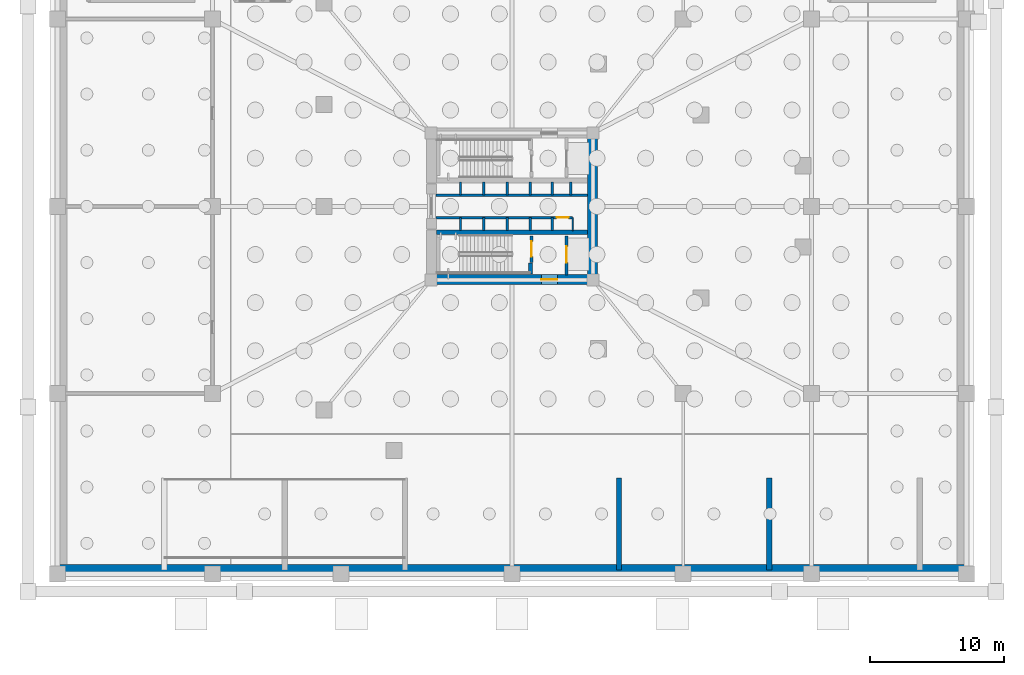
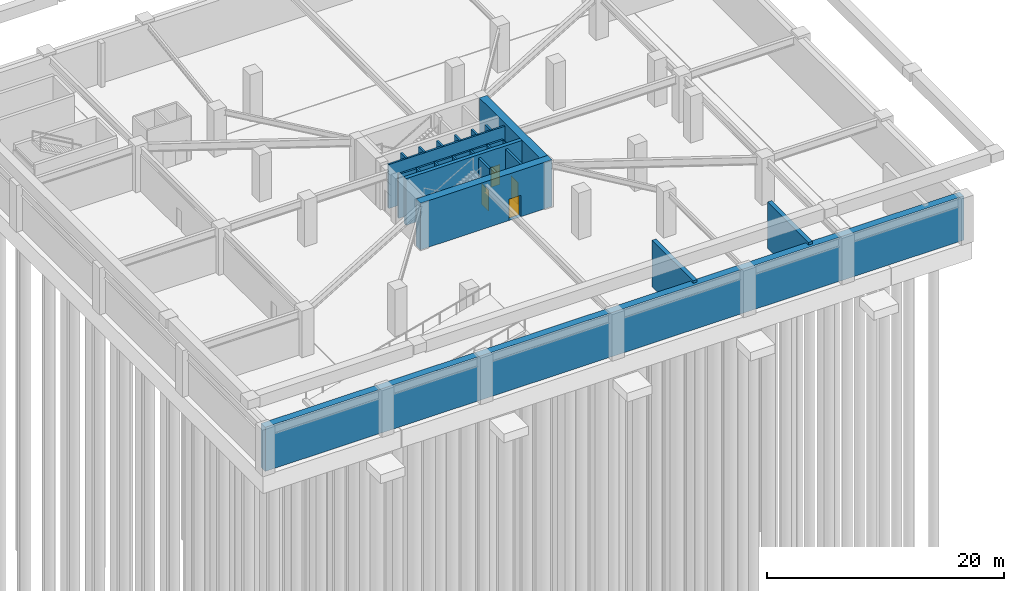
# One storey, part 6 of 14: 23 walls, 4 doors, 4 openings.
"""IFC4 building model written with IfcOpenShell, lengths in metres."""

import ifcopenshell
import ifcopenshell.guid

model = None  # the IFC model being written
_history = None  # IfcOwnerHistory: only IFC2X3 demands one
_inside = {}  # id of a spatial element -> (the spatial element, [elements in it])
_under = {}  # id of a project, library or spatial element -> (it, [spatial elements below it])
_declared = {}  # id of a project -> (the project, [libraries it declares])
_typed = {}  # id of a type object -> (the type object, [elements of that type])
_made_of = {}  # id of a material, layer set ... -> (it, [elements and type objects made of it])


def new_model(schema):
    """Start an empty IFC model of exactly this schema.

    Asked for "IFC4X3", IfcOpenShell would pick the latest addendum, in which some entities
    have other attributes; the version numbers below select the first issue.
    IFC2X3 requires an IfcOwnerHistory on every rooted entity: one is made here for all.
    """
    global model, _history
    if schema == "IFC4X3":
        model = ifcopenshell.file(schema_version=(4, 3, 0, 0))
    else:
        model = ifcopenshell.file(schema=schema)
    _inside.clear()
    _under.clear()
    _declared.clear()
    _typed.clear()
    _made_of.clear()
    _history = None
    if model.schema == "IFC2X3":
        org = make("IfcOrganization", Name="unknown")
        user = make(
            "IfcPersonAndOrganization",
            ThePerson=make("IfcPerson", FamilyName="unknown"),
            TheOrganization=org,
        )
        app = make(
            "IfcApplication",
            ApplicationDeveloper=org,
            Version="unknown",
            ApplicationFullName="unknown",
            ApplicationIdentifier="unknown",
        )
        _history = make(
            "IfcOwnerHistory",
            OwningUser=user,
            OwningApplication=app,
            ChangeAction="ADDED",
            CreationDate=0,
        )
    return model


def make(cls, **values):
    """One entity of the class cls with the attributes given. An attribute that is None is left unset."""
    return model.create_entity(
        cls, **{name: value for name, value in values.items() if value is not None}
    )


def rooted(cls, **values):
    """An entity with a GlobalId (a new one), such as an element, a storey or a relation."""
    return make(cls, GlobalId=ifcopenshell.guid.new(), OwnerHistory=_history, **values)


def si_unit(unit_type, name, prefix=None):
    """IfcSIUnit, for example si_unit("LENGTHUNIT", "METRE", prefix="MILLI")."""
    return make("IfcSIUnit", UnitType=unit_type, Prefix=prefix, Name=name)


def assignment(units):
    """IfcUnitAssignment: the units of a project."""
    return None if units is None else make("IfcUnitAssignment", Units=units)


def point(xyz):
    """IfcCartesianPoint."""
    return None if xyz is None else make("IfcCartesianPoint", Coordinates=xyz)


def direction(xyz):
    """IfcDirection."""
    return None if xyz is None else make("IfcDirection", DirectionRatios=xyz)


def frame(location, z_axis=None, x_axis=None):
    """IfcAxis2Placement3D, a coordinate frame: its origin and axes. An axis left out is left unset."""
    return make(
        "IfcAxis2Placement3D",
        Location=point(location),
        Axis=direction(z_axis),
        RefDirection=direction(x_axis),
    )


def frame_2d(location, x_axis=None):
    """IfcAxis2Placement2D, a coordinate frame in the plane: its origin and x axis."""
    return make(
        "IfcAxis2Placement2D", Location=point(location), RefDirection=direction(x_axis)
    )


def origin():
    """The frame at (0, 0, 0) with its axes left unset."""
    return frame((0.0, 0.0, 0.0))


def place(relative_to, where):
    """IfcLocalPlacement: puts the frame where relative to a parent placement (None: the world)."""
    return make(
        "IfcLocalPlacement", PlacementRelTo=relative_to, RelativePlacement=where
    )


def context(
    kind, dimensions, precision=None, world=None, true_north=None, identifier=None
):
    """IfcGeometricRepresentationContext, for example the 3D "Model" context."""
    return make(
        "IfcGeometricRepresentationContext",
        ContextIdentifier=identifier,
        ContextType=kind,
        CoordinateSpaceDimension=dimensions,
        Precision=precision,
        WorldCoordinateSystem=world,
        TrueNorth=true_north,
    )


def subcontext(parent, identifier, kind, view, scale=None):
    """IfcGeometricRepresentationSubContext, for example "Body" below "Model"."""
    return make(
        "IfcGeometricRepresentationSubContext",
        ContextIdentifier=identifier,
        ContextType=kind,
        ParentContext=parent,
        TargetScale=scale,
        TargetView=view,
    )


def project(units=None, contexts=None):
    """IfcProject with its units and contexts."""
    return rooted(
        "IfcProject",
        Name="project",
        RepresentationContexts=contexts,
        UnitsInContext=assignment(units),
    )


def spatial(cls, under=None, at=None, **own):
    """A site, building, storey or space (cls), placed at a placement, below another one or the project."""
    s = rooted(cls, ObjectPlacement=at, **own)
    if under is not None:
        _under.setdefault(under.id(), (under, []))[1].append(s)
    return s


def profile(cls, at=None, kind="AREA", **sizes):
    """A parametric profile (cls). Its sizes go by their IFC names, for example OverallWidth=200.0."""
    return make(cls, ProfileType=kind, Position=at, **sizes)


def rectangle(**sizes):
    """IfcRectangleProfileDef."""
    return profile("IfcRectangleProfileDef", **sizes)


def extrude(swept, where, along, depth):
    """IfcExtrudedAreaSolid: the profile swept, set in the frame where, extruded along a direction by depth."""
    return make(
        "IfcExtrudedAreaSolid",
        SweptArea=swept,
        Position=where,
        ExtrudedDirection=direction(along),
        Depth=depth,
    )


def shape(context_of_items, identifier, shape_type, items):
    """IfcShapeRepresentation: the items that make up one representation, for example the "Body"."""
    return make(
        "IfcShapeRepresentation",
        ContextOfItems=context_of_items,
        RepresentationIdentifier=identifier,
        RepresentationType=shape_type,
        Items=items,
    )


def material(Name=None, Category=None):
    """IfcMaterial."""
    return make("IfcMaterial", Name=Name, Category=Category)


def layer(
    of_material, thickness, ventilated=None, Name=None, Category=None, Priority=None
):
    """IfcMaterialLayer: one layer of a wall or slab, of a material (None: an air gap)."""
    return make(
        "IfcMaterialLayer",
        Material=of_material,
        LayerThickness=thickness,
        IsVentilated=ventilated,
        Name=Name,
        Category=Category,
        Priority=Priority,
    )


def layer_set(layers, Name=None):
    """IfcMaterialLayerSet."""
    return make("IfcMaterialLayerSet", MaterialLayers=layers, LayerSetName=Name)


def made_of(thing, what):
    """Note that an element or type object is made of a material, layer set ...; save() writes the relation."""
    if what is not None:
        _made_of.setdefault(what.id(), (what, []))[1].append(thing)
    return thing


def type_object(cls, material=None, **own):
    """A type object (cls), such as IfcWallType, which elements share."""
    return made_of(rooted(cls, **own), material)


def element(
    cls,
    number,
    at=None,
    inside=None,
    cuts=None,
    type_object=None,
    material=None,
    context=None,
    identifier="Body",
    shape_type=None,
    held_by="IfcProductDefinitionShape",
    body=None,
    shapes=None,
    **own,
):
    """One element of the class cls, such as IfcWall. Its Tag is "e" and its number.

    at: its placement. inside: the storey or other place that contains it. cuts: it is an
    opening in that element (IfcRelVoidsElement). A single representation is given by context,
    identifier, shape_type and body (its items); several are given by shapes. held_by: the class
    of the entity that holds the representations. save() writes the other relations.
    """
    e = rooted(cls, Tag="e%d" % number, ObjectPlacement=at, **own)
    if body is not None:
        shapes = [shape(context, identifier, shape_type, body)]
    if shapes is not None:
        e.Representation = make(held_by, Representations=shapes)
    if inside is not None:
        _inside.setdefault(inside.id(), (inside, []))[1].append(e)
    if cuts is not None:
        rooted(
            "IfcRelVoidsElement", RelatingBuildingElement=cuts, RelatedOpeningElement=e
        )
    if type_object is not None:
        _typed.setdefault(type_object.id(), (type_object, []))[1].append(e)
    return made_of(e, material)


def fill(opening, filler):
    """IfcRelFillsElement: the door or window that sits in an opening."""
    return rooted(
        "IfcRelFillsElement",
        RelatingOpeningElement=opening,
        RelatedBuildingElement=filler,
    )


def aggregate(whole, parts):
    """IfcRelAggregates: a whole, such as a stair, and the parts it consists of."""
    return rooted("IfcRelAggregates", RelatingObject=whole, RelatedObjects=parts)


def save(model, path):
    """Write the relations noted so far, then the file.

    IfcRelAggregates (storeys below a building ...), IfcRelContainedInSpatialStructure (elements
    in a storey), IfcRelDefinesByType, IfcRelAssociatesMaterial and IfcRelDeclares: one each for
    every whole, place, type object, material and project.
    """
    for whole, parts in _under.values():
        aggregate(whole, parts)
    for where, things in _inside.values():
        rooted(
            "IfcRelContainedInSpatialStructure",
            RelatedElements=things,
            RelatingStructure=where,
        )
    for kind, things in _typed.values():
        rooted("IfcRelDefinesByType", RelatedObjects=things, RelatingType=kind)
    for what, things in _made_of.values():
        rooted("IfcRelAssociatesMaterial", RelatedObjects=things, RelatingMaterial=what)
    for by, libraries in _declared.values():
        rooted("IfcRelDeclares", RelatingContext=by, RelatedDefinitions=libraries)
    model.write(path)


model = new_model("IFC4")

# Units and contexts
model_context = context("Model", 3, precision=1e-05, world=origin(), true_north=direction((0.0, 1.0)))
body_context = subcontext(model_context, "Body", "Model", "MODEL_VIEW")
ifc_project = project(units=[si_unit("LENGTHUNIT", "METRE"), si_unit("AREAUNIT", "SQUARE_METRE"), si_unit("VOLUMEUNIT", "CUBIC_METRE"), si_unit("PLANEANGLEUNIT", "RADIAN"), si_unit("MASSUNIT", "GRAM", prefix="KILO")], contexts=[model_context])

# Site, building, storey
site_placement = place(None, origin())
site = spatial("IfcSite", under=ifc_project, at=site_placement, CompositionType="ELEMENT")
building_placement = place(site_placement, origin())
building = spatial("IfcBuilding", under=site, at=building_placement, Name="Yunling Apex Tower", CompositionType="ELEMENT")
storey_placement = place(building_placement, frame((0.0, 0.0, -9.60009765625)))
storey = spatial("IfcBuildingStorey", under=building, at=storey_placement, Name="B02", CompositionType="ELEMENT", Elevation=-9.60009765625)

# Wall
ifc_material_1 = material(Name="Concrete C50", Category="concrete")
ifc_layer_1 = layer(ifc_material_1, 0.699951171875)
ifc_layer_set_1 = layer_set([ifc_layer_1], Name="Concrete C50")
wall_type_1 = type_object("IfcWallType", Name="WL-BSM-1", PredefinedType="USERDEFINED", material=ifc_layer_set_1)
wall_1_placement = place(storey_placement, frame((-34.0, -27.14990234375, 0.0), z_axis=(0.0, 0.0, 1.0), x_axis=(1.0, 0.0, 0.0)))
element("IfcWall", 1, at=wall_1_placement, inside=storey, type_object=wall_type_1, Name="B02 South Retaining Wall", ObjectType="RETAININGWALL", PredefinedType="USERDEFINED", context=body_context, shape_type="SweptSolid", body=[
    extrude(rectangle(XDim=68.0, YDim=0.699951171875, at=frame_2d((34.0, 0.0))), origin(), (0.0, 0.0, 1.0), 4.5400390625),
])

# Wall, opening, door
ifc_material_2 = material(Name="Concrete C60", Category="concrete")
ifc_layer_2 = layer(ifc_material_2, 0.75)
ifc_layer_set_2 = layer_set([ifc_layer_2], Name="Concrete C60")
wall_type_2 = type_object("IfcWallType", Name="WL-COR-1", PredefinedType="SHEAR", material=ifc_layer_set_2)
wall_2_placement = place(storey_placement, frame((-6.39990234375, -5.47509765625, 0.0), z_axis=(0.0, 0.0, 1.0), x_axis=(1.0, 0.0, 0.0)))
wall_2 = element("IfcWall", 2, at=wall_2_placement, inside=storey, type_object=wall_type_2, Name="B02 South Core Shear Wall", PredefinedType="SHEAR", context=body_context, shape_type="SweptSolid", body=[
    extrude(rectangle(XDim=12.7998046875, YDim=0.75, at=frame_2d((6.39990234375, 0.0))), origin(), (0.0, 0.0, 1.0), 4.800048828125),
])
opening_1_placement = place(wall_2_placement, frame((8.60009765625, 0.0, 0.0)))
opening_1 = element("IfcOpeningElement", 3, at=opening_1_placement, cuts=wall_2, Name="Opening DR-FFL-1", PredefinedType="OPENING", context=body_context, shape_type="SweptSolid", body=[
    extrude(rectangle(XDim=1.199951171875, YDim=2.199951171875, at=frame_2d((0.60009765625, 1.10009765625))), frame((0.0, 0.385009765625, 0.0), z_axis=(0.0, -1.0, 0.0), x_axis=(1.0, 0.0, 0.0)), (0.0, 0.0, 1.0), 0.77001953125),
])
ifc_material_3 = material(Name="Steel Q355B", Category="steel")
door_type_1 = type_object("IfcDoorType", Name="DR-FFL-1", OperationType="NOTDEFINED", PredefinedType="DOOR", material=ifc_material_3)
door_1_placement = place(opening_1_placement, origin())
door_1 = element("IfcDoor", 4, at=door_1_placement, inside=storey, type_object=door_type_1, Name="B02 South Firefighting Lobby Door", OperationType="SINGLE_SWING_RIGHT", OverallHeight=2.199951171875, OverallWidth=1.199951171875, PredefinedType="DOOR", context=body_context, shape_type="SweptSolid", body=[
    extrude(rectangle(XDim=1.199951171875, YDim=2.199951171875, at=frame_2d((0.60009765625, 1.10009765625))), frame((0.0, 0.02490234375, 0.0), z_axis=(0.0, -1.0, 0.0), x_axis=(1.0, 0.0, 0.0)), (0.0, 0.0, 1.0), 0.050048828125),
])
fill(opening_1, door_1)

# Walls
wall_3_placement = place(storey_placement, frame((6.02490234375, -5.10009765625, 0.0), z_axis=(0.0, 0.0, 1.0), x_axis=(0.0, 1.0, 0.0)))
element("IfcWall", 5, at=wall_3_placement, inside=storey, type_object=wall_type_2, Name="B02 East Core Shear Wall", PredefinedType="SHEAR", context=body_context, shape_type="SweptSolid", body=[
    extrude(rectangle(XDim=10.2001953125, YDim=0.75, at=frame_2d((5.10009765625, 0.0))), origin(), (0.0, 0.0, 1.0), 4.800048828125),
])
ifc_material_4 = material(Name="Concrete C40", Category="concrete")
ifc_layer_3 = layer(ifc_material_4, 0.360107421875)
ifc_layer_set_3 = layer_set([ifc_layer_3], Name="Concrete C40")
wall_type_3 = type_object("IfcWallType", Name="WL-COR-4", PredefinedType="SHEAR", material=ifc_layer_set_3)
wall_4_placement = place(storey_placement, frame((-5.64990234375, -1.93994140625, 0.0), z_axis=(0.0, 0.0, 1.0), x_axis=(1.0, 0.0, 0.0)))
element("IfcWall", 6, at=wall_4_placement, inside=storey, type_object=wall_type_3, Name="B02 South Internal Core Shear Wall", PredefinedType="SHEAR", context=body_context, shape_type="SweptSolid", body=[
    extrude(rectangle(XDim=11.2998046875, YDim=0.360107421875, at=frame_2d((5.64990234375, 0.0))), origin(), (0.0, 0.0, 1.0), 4.800048828125),
])
ifc_layer_4 = layer(ifc_material_1, 0.39990234375)
ifc_layer_set_4 = layer_set([ifc_layer_4], Name="Concrete C50")
wall_type_4 = type_object("IfcWallType", Name="WL-COR-5", PredefinedType="SHEAR", material=ifc_layer_set_4)
for number, where, z_axis, x_axis, name in (
    (7, (8.0, -27.199951171875, 0.0), (0.0, 0.0, 1.0), (0.0, 1.0, 0.0), "B02 Vehicle Ramp Bearing Wall ELO"),
    (8, (19.25, -27.199951171875, 0.0), (0.0, 0.0, 1.0), (0.0, 1.0, 0.0), "B02 Vehicle Ramp Bearing Wall EMID"),
):
    element("IfcWall", number, at=place(storey_placement, frame(where, z_axis=z_axis, x_axis=x_axis)), inside=storey, type_object=wall_type_4, Name=name, PredefinedType="SHEAR", context=body_context, shape_type="SweptSolid", body=[
        extrude(rectangle(XDim=6.89990234375, YDim=0.39990234375, at=frame_2d((3.449951171875, 0.0))), origin(), (0.0, 0.0, 1.0), 4.800048828125),
    ])
ifc_layer_5 = layer(ifc_material_4, 0.280029296875)
ifc_layer_set_5 = layer_set([ifc_layer_5], Name="Concrete C40")
wall_type_5 = type_object("IfcWallType", Name="WL-COR-8", PredefinedType="SHEAR", material=ifc_layer_set_5)
wall_5_placement = place(storey_placement, frame((1.3798828125, -5.050048828125, 0.0), z_axis=(0.0, 0.0, 1.0), x_axis=(0.0, 1.0, 0.0)))
element("IfcWall", 9, at=wall_5_placement, inside=storey, type_object=wall_type_5, Name="B02 ST-2 East Landing Bearing Pier", PredefinedType="SHEAR", context=body_context, shape_type="SweptSolid", body=[
    extrude(rectangle(XDim=0.800048828125, YDim=0.280029296875, at=frame_2d((0.39990234375, 0.0))), origin(), (0.0, 0.0, 1.0), 4.800048828125),
])
ifc_material_5 = material(Name="Gypsum board acoustic partition")
ifc_layer_6 = layer(ifc_material_5, 0.10009765625)
ifc_layer_set_6 = layer_set([ifc_layer_6], Name="Gypsum board acoustic partition")
wall_type_6 = type_object("IfcWallType", Name="WL-PRT-4", PredefinedType="PARTITIONING", material=ifc_layer_set_6)
wall_6_placement = place(storey_placement, frame((4.5400390625, -1.820068359375, 0.0), z_axis=(0.0, 0.0, 1.0), x_axis=(0.0, 1.0, 0.0)))
element("IfcWall", 10, at=wall_6_placement, inside=storey, type_object=wall_type_6, Name="WL-KASE-E-B02", PredefinedType="PARTITIONING", context=body_context, shape_type="SweptSolid", body=[
    extrude(rectangle(XDim=0.97998046875, YDim=0.10009765625, at=frame_2d((0.489990234375, 0.0))), origin(), (0.0, 0.0, 1.0), 4.52001953125),
])

# Wall, opening, door
ifc_material_6 = material(Name="Autoclaved aerated concrete masonry", Category="masonry")
ifc_layer_7 = layer(ifc_material_6, 0.219970703125)
ifc_layer_set_7 = layer_set([ifc_layer_7], Name="Autoclaved aerated concrete masonry")
wall_type_7 = type_object("IfcWallType", Name="WL-SHF-1", PredefinedType="PLUMBINGWALL", material=ifc_layer_set_7)
wall_7_placement = place(storey_placement, frame((1.449951171875, -4.179931640625, 0.0), z_axis=(0.0, 0.0, 1.0), x_axis=(0.0, 1.0, 0.0)))
wall_7 = element("IfcWall", 11, at=wall_7_placement, inside=storey, type_object=wall_type_7, Name="WL-ST2-E-B02", PredefinedType="PLUMBINGWALL", context=body_context, shape_type="SweptSolid", body=[
    extrude(rectangle(XDim=1.97998046875, YDim=0.219970703125, at=frame_2d((0.989990234375, 0.0))), origin(), (0.0, 0.0, 1.0), 4.52001953125),
])
opening_2_placement = place(wall_7_placement, frame((0.419921875, 0.0, 0.0)))
opening_2 = element("IfcOpeningElement", 12, at=opening_2_placement, cuts=wall_7, Name="Opening DR-ST-1", PredefinedType="OPENING", context=body_context, shape_type="SweptSolid", body=[
    extrude(rectangle(XDim=1.14990234375, YDim=2.14990234375, at=frame_2d((0.574951171875, 1.074951171875))), frame((0.0, 0.1201171875, 0.0), z_axis=(0.0, -1.0, 0.0), x_axis=(1.0, 0.0, 0.0)), (0.0, 0.0, 1.0), 0.239990234375),
])
door_type_2 = type_object("IfcDoorType", Name="DR-ST-1", OperationType="NOTDEFINED", PredefinedType="DOOR", material=ifc_material_3)
door_2_placement = place(opening_2_placement, origin())
door_2 = element("IfcDoor", 13, at=door_2_placement, inside=storey, type_object=door_type_2, Name="B02 Stair ST-2 Fire Door", OperationType="SINGLE_SWING_LEFT", OverallHeight=2.14990234375, OverallWidth=1.14990234375, PredefinedType="DOOR", context=body_context, shape_type="SweptSolid", body=[
    extrude(rectangle(XDim=1.14990234375, YDim=2.14990234375, at=frame_2d((0.574951171875, 1.074951171875))), frame((0.0, 0.02490234375, 0.0), z_axis=(0.0, -1.0, 0.0), x_axis=(1.0, 0.0, 0.0)), (0.0, 0.0, 1.0), 0.050048828125),
])
fill(opening_2, door_2)

wall_8_placement = place(storey_placement, frame((4.080078125, -5.14990234375, 0.0), z_axis=(0.0, 0.0, 1.0), x_axis=(0.0, 1.0, 0.0)))
wall_8 = element("IfcWall", 14, at=wall_8_placement, inside=storey, type_object=wall_type_7, Name="WL-FFL2-W-B02", PredefinedType="PLUMBINGWALL", context=body_context, shape_type="SweptSolid", body=[
    extrude(rectangle(XDim=2.949951171875, YDim=0.219970703125, at=frame_2d((1.47509765625, 0.0))), origin(), (0.0, 0.0, 1.0), 4.52001953125),
])
opening_3_placement = place(wall_8_placement, frame((0.949951171875, 0.0, 0.0)))
opening_3 = element("IfcOpeningElement", 15, at=opening_3_placement, cuts=wall_8, Name="Opening LD-FFL-1", PredefinedType="OPENING", context=body_context, shape_type="SweptSolid", body=[
    extrude(rectangle(XDim=1.199951171875, YDim=2.25, at=frame_2d((0.60009765625, 1.125))), frame((0.0, 0.1201171875, 0.0), z_axis=(0.0, -1.0, 0.0), x_axis=(1.0, 0.0, 0.0)), (0.0, 0.0, 1.0), 0.239990234375),
])
door_type_3 = type_object("IfcDoorType", Name="LD-FFL-1", OperationType="DOUBLE_DOOR_SLIDING", PredefinedType="DOOR", material=ifc_material_3)
door_3_placement = place(opening_3_placement, origin())
door_3 = element("IfcDoor", 16, at=door_3_placement, inside=storey, type_object=door_type_3, Name="B02 Lift FFL-2 Landing Door", OperationType="DOUBLE_DOOR_SLIDING", OverallHeight=2.25, OverallWidth=1.199951171875, PredefinedType="DOOR", context=body_context, shape_type="SweptSolid", body=[
    extrude(rectangle(XDim=1.199951171875, YDim=2.25, at=frame_2d((0.60009765625, 1.125))), frame((0.0, 0.02490234375, 0.0), z_axis=(0.0, -1.0, 0.0), x_axis=(1.0, 0.0, 0.0)), (0.0, 0.0, 1.0), 0.050048828125),
])
fill(opening_3, door_3)

# Walls
ifc_layer_8 = layer(ifc_material_6, 0.179931640625)
ifc_layer_set_8 = layer_set([ifc_layer_8], Name="Autoclaved aerated concrete masonry")
wall_type_8 = type_object("IfcWallType", Name="WL-SHF-2", PredefinedType="PLUMBINGWALL", material=ifc_layer_set_8)
for number, where, z_axis, x_axis, name in (
    (17, (-3.85009765625, 0.840087890625, 0.0), (0.0, 0.0, 1.0), (0.0, 1.0, 0.0), "WL-DIV-L12-B02"),
    (18, (-3.85009765625, -1.820068359375, 0.0), (0.0, 0.0, 1.0), (0.0, 1.0, 0.0), "WL-DIV-L34-B02"),
    (19, (-2.10009765625, 0.840087890625, 0.0), (0.0, 0.0, 1.0), (0.0, 1.0, 0.0), "WL-BNK-LM-N-B02"),
    (20, (-2.10009765625, -1.820068359375, 0.0), (0.0, 0.0, 1.0), (0.0, 1.0, 0.0), "WL-BNK-LM-S-B02"),
    (21, (-0.35009765625, 0.840087890625, 0.0), (0.0, 0.0, 1.0), (0.0, 1.0, 0.0), "WL-DIV-M12-B02"),
    (22, (-0.35009765625, -1.820068359375, 0.0), (0.0, 0.0, 1.0), (0.0, 1.0, 0.0), "WL-DIV-M34-B02"),
    (23, (1.3798828125, 0.840087890625, 0.0), (0.0, 0.0, 1.0), (0.0, 1.0, 0.0), "WL-BNK-MH-N-B02"),
    (24, (1.3798828125, -1.820068359375, 0.0), (0.0, 0.0, 1.0), (0.0, 1.0, 0.0), "WL-BNK-MH-S-B02"),
    (25, (3.02001953125, 0.840087890625, 0.0), (0.0, 0.0, 1.0), (0.0, 1.0, 0.0), "WL-DIV-H13-B02"),
    (26, (4.3798828125, 0.840087890625, 0.0), (0.0, 0.0, 1.0), (0.0, 1.0, 0.0), "WL-END-H3E-B02"),
    (27, (3.02001953125, -1.820068359375, 0.0), (0.0, 0.0, 1.0), (0.0, 1.0, 0.0), "WL-END-H2E-B02"),
):
    element("IfcWall", number, at=place(storey_placement, frame(where, z_axis=z_axis, x_axis=x_axis)), inside=storey, type_object=wall_type_8, Name=name, PredefinedType="PLUMBINGWALL", context=body_context, shape_type="SweptSolid", body=[
        extrude(rectangle(XDim=0.97998046875, YDim=0.179931640625, at=frame_2d((0.489990234375, 0.0))), origin(), (0.0, 0.0, 1.0), 4.52001953125),
    ])
wall_9_placement = place(storey_placement, frame((-5.679931640625, 0.840087890625, 0.0), z_axis=(0.0, 0.0, 1.0), x_axis=(1.0, 0.0, 0.0)))
element("IfcWall", 28, at=wall_9_placement, inside=storey, type_object=wall_type_8, Name="WL-LOB-N-B02", PredefinedType="PLUMBINGWALL", context=body_context, shape_type="SweptSolid", body=[
    extrude(rectangle(XDim=11.329833984375, YDim=0.179931640625, at=frame_2d((5.6650390625, 0.0))), origin(), (0.0, 0.0, 1.0), 4.52001953125),
])

# Wall, opening, door
wall_10_placement = place(storey_placement, frame((-5.679931640625, -0.840087890625, 0.0), z_axis=(0.0, 0.0, 1.0), x_axis=(1.0, 0.0, 0.0)))
wall_10 = element("IfcWall", 29, at=wall_10_placement, inside=storey, type_object=wall_type_8, Name="WL-LOB-S-B02", PredefinedType="PLUMBINGWALL", context=body_context, shape_type="SweptSolid", body=[
    extrude(rectangle(XDim=10.219970703125, YDim=0.179931640625, at=frame_2d((5.10986328125, 0.0))), origin(), (0.0, 0.0, 1.0), 4.52001953125),
])
opening_4_placement = place(wall_10_placement, frame((9.02001953125, 0.0, 0.0)))
opening_4 = element("IfcOpeningElement", 30, at=opening_4_placement, cuts=wall_10, Name="Opening DR-SHF-1", PredefinedType="OPENING", context=body_context, shape_type="SweptSolid", body=[
    extrude(rectangle(XDim=0.89990234375, YDim=2.050048828125, at=frame_2d((0.449951171875, 1.02490234375))), frame((0.0, 0.10009765625, 0.0), z_axis=(0.0, -1.0, 0.0), x_axis=(1.0, 0.0, 0.0)), (0.0, 0.0, 1.0), 0.199951171875),
])
door_type_4 = type_object("IfcDoorType", Name="DR-SHF-1", OperationType="NOTDEFINED", PredefinedType="DOOR", material=ifc_material_3)
door_4_placement = place(opening_4_placement, origin())
door_4 = element("IfcDoor", 31, at=door_4_placement, inside=storey, type_object=door_type_4, Name="B02 Core Electrical Room Door", OperationType="SINGLE_SWING_RIGHT", OverallHeight=2.050048828125, OverallWidth=0.89990234375, PredefinedType="DOOR", context=body_context, shape_type="SweptSolid", body=[
    extrude(rectangle(XDim=0.89990234375, YDim=2.050048828125, at=frame_2d((0.449951171875, 1.02490234375))), frame((0.0, 0.02490234375, 0.0), z_axis=(0.0, -1.0, 0.0), x_axis=(1.0, 0.0, 0.0)), (0.0, 0.0, 1.0), 0.050048828125),
])
fill(opening_4, door_4)

save(model, "model.ifc")
